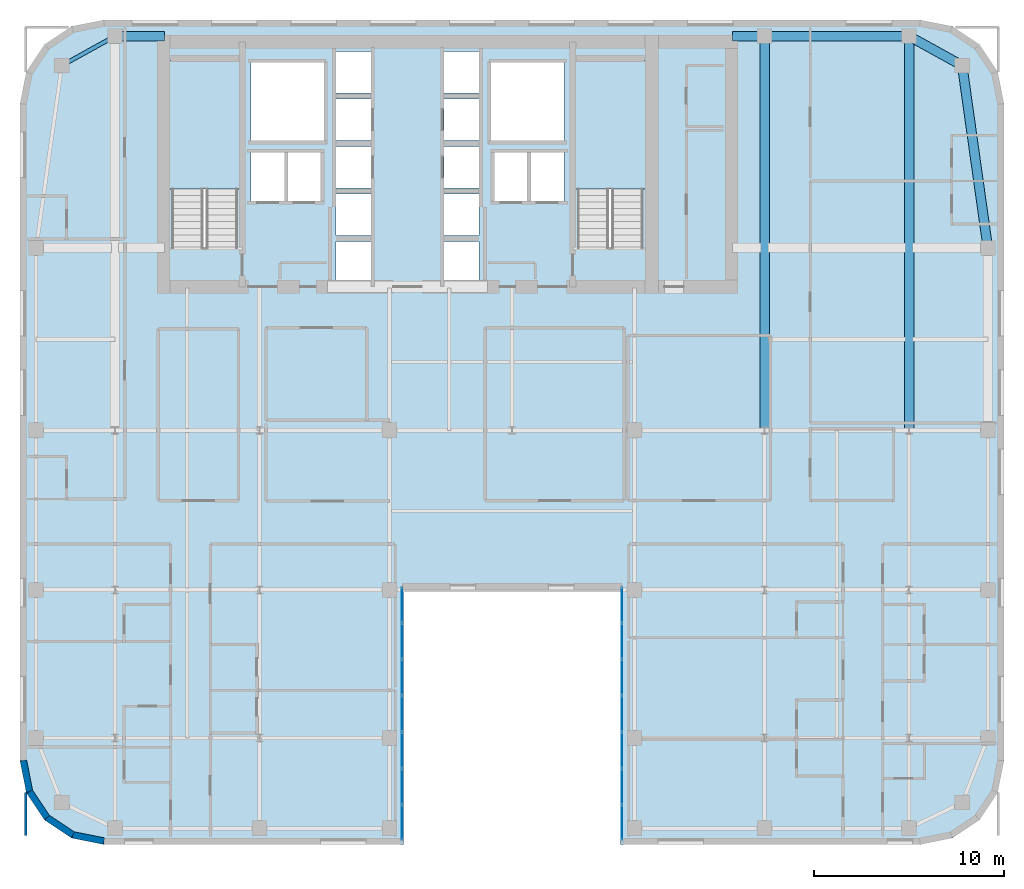
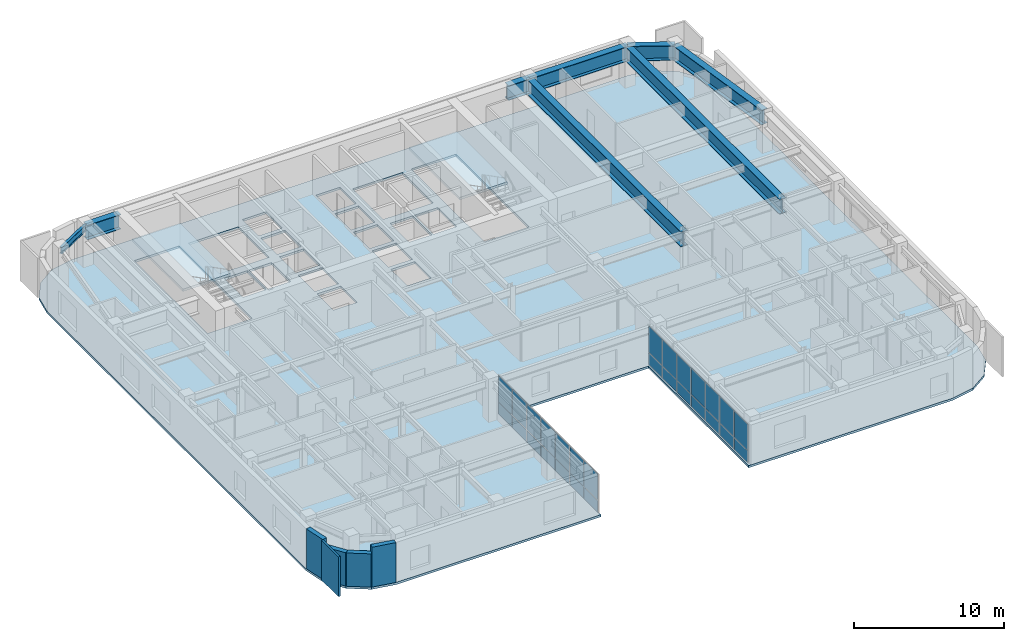
# One storey, part 6 of 14: 28 plates, 8 beams, 5 walls, 3 slabs, 4 elements without a shape of their own.
"""IFC4 building model written with IfcOpenShell, lengths in metres."""

from ifc_helpers import new_model, si_unit, direction, frame, frame_2d, origin, origin_2d, place, context, subcontext, project, spatial, polyline, rectangle, i_section, outline, extrude, source, transform, mapped, material, layer, layer_set, material_profile, profile_set, type_object, type_shapes, element, aggregate, save


model = new_model("IFC4")

# Units and contexts
model_context = context("Model", 3, precision=1e-05, world=origin(), true_north=direction((0.0, 1.0)))
body_context = subcontext(model_context, "Body", "Model", "MODEL_VIEW")
ifc_project = project(units=[si_unit("LENGTHUNIT", "METRE"), si_unit("AREAUNIT", "SQUARE_METRE"), si_unit("VOLUMEUNIT", "CUBIC_METRE"), si_unit("PLANEANGLEUNIT", "RADIAN"), si_unit("MASSUNIT", "GRAM", prefix="KILO")], contexts=[model_context])

# Site, building, storey
site_placement = place(None, origin())
site = spatial("IfcSite", under=ifc_project, at=site_placement, CompositionType="ELEMENT")
building_placement = place(site_placement, origin())
building = spatial("IfcBuilding", under=site, at=building_placement, Name="Tolvann Quenvar Hotel", CompositionType="ELEMENT")
storey_placement = place(building_placement, frame((0.0, 0.0, 179.0)))
storey = spatial("IfcBuildingStorey", under=building, at=storey_placement, Name="L47", CompositionType="ELEMENT", Elevation=179.0)

# Beams
ifc_material_1 = material(Name="Steel Grade 350", Category="steel")
ifc_material_profile_1 = material_profile(ifc_material_1, i_section(OverallWidth=0.5, OverallDepth=1.199951171875, WebThickness=0.01611328125, FlangeThickness=0.0400390625, at=origin_2d()), Name="1200WB455")
ifc_profile_set_1 = profile_set([ifc_material_profile_1], Name="Steel Grade 350")
beam_type_1 = type_object("IfcBeamType", Name="BM_TG_1200WB455", PredefinedType="USERDEFINED", material=ifc_profile_set_1)
shared_shape_1 = source(origin(), body_context, "Body", "SweptSolid", [
    extrude(i_section(OverallWidth=0.5, OverallDepth=1.199951171875, WebThickness=0.01611328125, FlangeThickness=0.0400390625, at=origin_2d()), origin(), (0.0, 0.0, 1.0), 7.599853515625),
])
beam_1_placement = place(storey_placement, frame((49.39990234375, 45.14990234375, 2.64990234375), z_axis=(-1.0, 0.0, 0.0), x_axis=(0.0, -1.0, 0.0)))
element("IfcBeam", 1, at=beam_1_placement, inside=storey, type_object=beam_type_1, Name="BM-L47-FLK-E4", ObjectType="TRANSFER GIRDER", PredefinedType="USERDEFINED", context=body_context, shape_type="MappedRepresentation", body=[
    mapped(shared_shape_1, transform((0.0, 0.0, 0.0), x_axis=(1.0, 0.0, 0.0), y_axis=(0.0, 1.0, 0.0), z_axis=(0.0, 0.0, 1.0), scale=1.0)),
])
shared_shape_2 = source(origin(), body_context, "Body", "SweptSolid", [
    extrude(i_section(OverallWidth=0.5, OverallDepth=1.199951171875, WebThickness=0.01611328125, FlangeThickness=0.0400390625, at=origin_2d()), origin(), (0.0, 0.0, 1.0), 20.75),
])
for number, where, z_axis, x_axis, name in (
    (2, (41.800048828125, 24.39990234375, 2.64990234375), (0.0, 1.0, 0.0), (-1.0, 0.0, 0.0), "BM-L47-FLK-EH"),
    (3, (49.39990234375, 24.39990234375, 2.64990234375), (0.0, 1.0, 0.0), (-1.0, 0.0, 0.0), "BM-L47-FLK-EI"),
):
    element("IfcBeam", number, at=place(storey_placement, frame(where, z_axis=z_axis, x_axis=x_axis)), inside=storey, type_object=beam_type_1, Name=name, ObjectType="TRANSFER GIRDER", PredefinedType="USERDEFINED", context=body_context, shape_type="MappedRepresentation", body=[
        mapped(shared_shape_2, transform((0.0, 0.0, 0.0), x_axis=(1.0, 0.0, 0.0), y_axis=(0.0, 1.0, 0.0), z_axis=(0.0, 0.0, 1.0), scale=1.0)),
    ])
shared_shape_3 = source(origin(), body_context, "Body", "SweptSolid", [
    extrude(i_section(OverallWidth=0.5, OverallDepth=1.199951171875, WebThickness=0.01611328125, FlangeThickness=0.0400390625, at=origin_2d()), origin(), (0.0, 0.0, 1.0), 2.599853515625),
])
beam_2_placement = place(storey_placement, frame((7.60009765625, 45.14990234375, 2.64990234375), z_axis=(1.0, 0.0, 0.0), x_axis=(0.0, 1.0, 0.0)))
element("IfcBeam", 4, at=beam_2_placement, inside=storey, type_object=beam_type_1, Name="BM-L47-CTW-CN", ObjectType="TRANSFER GIRDER", PredefinedType="USERDEFINED", context=body_context, shape_type="MappedRepresentation", body=[
    mapped(shared_shape_3, transform((0.0, 0.0, 0.0), x_axis=(1.0, 0.0, 0.0), y_axis=(0.0, 1.0, 0.0), z_axis=(0.0, 0.0, 1.0), scale=1.0)),
])
shared_shape_4 = source(origin(), body_context, "Body", "SweptSolid", [
    extrude(i_section(OverallWidth=0.5, OverallDepth=1.199951171875, WebThickness=0.01611328125, FlangeThickness=0.0400390625, at=origin_2d()), origin(), (0.0, 0.0, 1.0), 1.699951171875),
])
beam_3_placement = place(storey_placement, frame((40.10009765625, 45.14990234375, 2.64990234375), z_axis=(1.0, 0.0, 0.0), x_axis=(0.0, 1.0, 0.0)))
element("IfcBeam", 5, at=beam_3_placement, inside=storey, type_object=beam_type_1, Name="BM-L47-CTE-HN", ObjectType="TRANSFER GIRDER", PredefinedType="USERDEFINED", context=body_context, shape_type="MappedRepresentation", body=[
    mapped(shared_shape_4, transform((0.0, 0.0, 0.0), x_axis=(1.0, 0.0, 0.0), y_axis=(0.0, 1.0, 0.0), z_axis=(0.0, 0.0, 1.0), scale=1.0)),
])
ifc_material_profile_2 = material_profile(ifc_material_1, i_section(OverallWidth=0.208984375, OverallDepth=0.528076171875, WebThickness=0.009521484375, FlangeThickness=0.01318359375, FilletRadius=0.013916015625, at=origin_2d()), Name="530UB82")
ifc_profile_set_2 = profile_set([ifc_material_profile_2], Name="Steel Grade 350")
beam_type_2 = type_object("IfcBeamType", Name="BM_SPAND_530UB82", PredefinedType="SPANDREL", material=ifc_profile_set_2)
shared_shape_5 = source(origin(), body_context, "Body", "SweptSolid", [
    extrude(i_section(OverallWidth=0.208984375, OverallDepth=0.528076171875, WebThickness=0.009521484375, FlangeThickness=0.01318359375, FilletRadius=0.013916015625, at=origin_2d()), origin(), (0.0, 0.0, 1.0), 3.200439453125),
])
type_shapes(beam_type_2, [shared_shape_5])
beam_4_placement = place(storey_placement, frame((4.800048828125, 43.60009765625, 2.986083984375), z_axis=(0.87492264453, 0.48426270359, 0.0), x_axis=(-0.48426270359, 0.87492264453, 0.0)))
element("IfcBeam", 6, at=beam_4_placement, inside=storey, type_object=beam_type_2, Name="BM-L47-FLK-W3", PredefinedType="SPANDREL", context=body_context, shape_type="MappedRepresentation", body=[
    mapped(shared_shape_5, transform((0.0, 0.0, 0.0), x_axis=(1.0, 0.0, 0.0), y_axis=(0.0, 1.0, 0.0), z_axis=(0.0, 0.0, 1.0), scale=1.0)),
])
shared_shape_6 = source(origin(), body_context, "Body", "SweptSolid", [
    extrude(i_section(OverallWidth=0.5, OverallDepth=1.199951171875, WebThickness=0.01611328125, FlangeThickness=0.0400390625, at=origin_2d()), origin(), (0.0, 0.0, 1.0), 9.694580078125),
])
beam_5_placement = place(storey_placement, frame((53.550048828125, 34.0, 2.64990234375), z_axis=(-0.139263320262, 0.990255385055, 0.0), x_axis=(-0.990255385055, -0.139263320262, 0.0)))
element("IfcBeam", 7, at=beam_5_placement, inside=storey, type_object=beam_type_1, Name="BM-L47-FLK-E2", ObjectType="TRANSFER GIRDER", PredefinedType="USERDEFINED", context=body_context, shape_type="MappedRepresentation", body=[
    mapped(shared_shape_6, transform((0.0, 0.0, 0.0), x_axis=(1.0, 0.0, 0.0), y_axis=(0.0, 1.0, 0.0), z_axis=(0.0, 0.0, 1.0), scale=1.0)),
])
shared_shape_7 = source(origin(), body_context, "Body", "SweptSolid", [
    extrude(i_section(OverallWidth=0.5, OverallDepth=1.199951171875, WebThickness=0.01611328125, FlangeThickness=0.0400390625, at=origin_2d()), origin(), (0.0, 0.0, 1.0), 3.200439453125),
])
type_shapes(beam_type_1, [shared_shape_1, shared_shape_2, shared_shape_3, shared_shape_4, shared_shape_6, shared_shape_7])
beam_6_placement = place(storey_placement, frame((52.199951171875, 43.60009765625, 2.64990234375), z_axis=(-0.87492264453, 0.48426270359, 0.0), x_axis=(-0.48426270359, -0.87492264453, 0.0)))
element("IfcBeam", 8, at=beam_6_placement, inside=storey, type_object=beam_type_1, Name="BM-L47-FLK-E3", ObjectType="TRANSFER GIRDER", PredefinedType="USERDEFINED", context=body_context, shape_type="MappedRepresentation", body=[
    mapped(shared_shape_7, transform((0.0, 0.0, 0.0), x_axis=(1.0, 0.0, 0.0), y_axis=(0.0, 1.0, 0.0), z_axis=(0.0, 0.0, 1.0), scale=1.0)),
])

# Stair, slab
ifc_material_2 = material(Name="Concrete N40 (40 MPa)", Category="concrete")
stair_type = type_object("IfcStairType", Name="STAIR", PredefinedType="HALF_TURN_STAIR", material=ifc_material_2)
stair_1_placement = place(storey_placement, origin())
stair_1 = element("IfcStair", 9, at=stair_1_placement, inside=storey, type_object=stair_type, Name="L47 ST-C1", PredefinedType="HALF_TURN_STAIR")
ifc_layer_1 = layer(ifc_material_2, 0.199951171875)
ifc_layer_set_1 = layer_set([ifc_layer_1], Name="Concrete N40 (40 MPa)")
slab_type_1 = type_object("IfcSlabType", Name="SLAB_LANDING", PredefinedType="LANDING", material=ifc_layer_set_1)
slab_1_placement = place(storey_placement, frame((0.0, 0.0, 1.574951171875)))
slab_1 = element("IfcSlab", 10, at=slab_1_placement, type_object=slab_type_1, Name="ST-C1 landing 1", PredefinedType="LANDING", context=body_context, shape_type="SweptSolid", body=[
    extrude(outline(polyline([(14.179931640625, 37.10498046875), (14.179931640625, 43.8798828125), (10.469970703125, 43.8798828125), (10.469970703125, 37.10498046875), (14.179931640625, 37.10498046875)])), origin(), (0.0, 0.0, 1.0), 0.199951171875),
])
aggregate(stair_1, [slab_1])

stair_2_placement = place(storey_placement, origin())
stair_2 = element("IfcStair", 11, at=stair_2_placement, inside=storey, type_object=stair_type, Name="L47 ST-C2", PredefinedType="HALF_TURN_STAIR")
slab_2_placement = place(storey_placement, frame((0.0, 0.0, 1.574951171875)))
slab_2 = element("IfcSlab", 12, at=slab_2_placement, type_object=slab_type_1, Name="ST-C2 landing 1", PredefinedType="LANDING", context=body_context, shape_type="SweptSolid", body=[
    extrude(outline(polyline([(35.530029296875, 37.10498046875), (35.530029296875, 43.8798828125), (31.820068359375, 43.8798828125), (31.820068359375, 37.10498046875), (35.530029296875, 37.10498046875)])), origin(), (0.0, 0.0, 1.0), 0.199951171875),
])
aggregate(stair_2, [slab_2])

# Slab
ifc_layer_2 = layer(ifc_material_2, 0.179931640625)
ifc_layer_set_2 = layer_set([ifc_layer_2], Name="Concrete N40 (40 MPa)")
slab_type_2 = type_object("IfcSlabType", Name="SLAB_TWR_180", PredefinedType="FLOOR", material=ifc_layer_set_2)
slab_3_placement = place(storey_placement, frame((0.0, 0.0, -0.179931640625)))
element("IfcSlab", 13, at=slab_3_placement, inside=storey, type_object=slab_type_2, Name="Level L47 Structural Floor Slab", PredefinedType="FLOOR", context=body_context, shape_type="SweptSolid", body=[
    extrude(outline(polyline([(2.60009765625, 7.0), (2.934814453125, 5.316162109375), (3.888671875, 3.888671875), (5.316162109375, 2.934814453125), (7.0, 2.60009765625), (22.800048828125, 2.60009765625), (22.800048828125, 16.0), (34.199951171875, 16.0), (34.199951171875, 2.60009765625), (50.0, 2.60009765625), (51.683837890625, 2.934814453125), (53.111328125, 3.888671875), (54.065185546875, 5.316162109375), (54.39990234375, 7.0), (54.39990234375, 41.60009765625), (54.065185546875, 43.28369140625), (53.111328125, 44.711181640625), (51.683837890625, 45.6650390625), (50.0, 46.0), (7.0, 46.0), (5.316162109375, 45.6650390625), (3.888671875, 44.711181640625), (2.934814453125, 43.28369140625), (2.60009765625, 41.60009765625), (2.60009765625, 7.0)]), holes=[polyline([(31.949951171875, 34.02490234375), (31.949951171875, 43.800048828125), (35.39990234375, 43.800048828125), (35.39990234375, 34.02490234375), (31.949951171875, 34.02490234375)]), polyline([(29.449951171875, 39.02001953125), (31.25, 39.02001953125), (31.25, 36.47998046875), (29.449951171875, 36.47998046875), (29.449951171875, 39.02001953125)]), polyline([(31.25, 43.75), (31.25, 39.64990234375), (27.39990234375, 39.64990234375), (27.39990234375, 43.75), (31.25, 43.75)]), polyline([(27.574951171875, 39.02001953125), (29.324951171875, 39.02001953125), (29.324951171875, 36.47998046875), (27.574951171875, 36.47998046875), (27.574951171875, 39.02001953125)]), polyline([(26.77001953125, 44.340087890625), (26.77001953125, 42.159912109375), (24.929931640625, 42.159912109375), (24.929931640625, 44.340087890625), (26.77001953125, 44.340087890625)]), polyline([(24.929931640625, 41.840087890625), (26.77001953125, 41.840087890625), (26.77001953125, 39.659912109375), (24.929931640625, 39.659912109375), (24.929931640625, 41.840087890625)]), polyline([(24.929931640625, 39.340087890625), (26.77001953125, 39.340087890625), (26.77001953125, 37.159912109375), (24.929931640625, 37.159912109375), (24.929931640625, 39.340087890625)]), polyline([(24.929931640625, 36.840087890625), (26.77001953125, 36.840087890625), (26.77001953125, 34.659912109375), (24.929931640625, 34.659912109375), (24.929931640625, 36.840087890625)]), polyline([(24.929931640625, 34.340087890625), (26.77001953125, 34.340087890625), (26.77001953125, 32.159912109375), (24.929931640625, 32.159912109375), (24.929931640625, 34.340087890625)]), polyline([(21.070068359375, 44.340087890625), (21.070068359375, 42.159912109375), (19.22998046875, 42.159912109375), (19.22998046875, 44.340087890625), (21.070068359375, 44.340087890625)]), polyline([(19.22998046875, 41.840087890625), (21.070068359375, 41.840087890625), (21.070068359375, 39.659912109375), (19.22998046875, 39.659912109375), (19.22998046875, 41.840087890625)]), polyline([(19.22998046875, 39.340087890625), (21.070068359375, 39.340087890625), (21.070068359375, 37.159912109375), (19.22998046875, 37.159912109375), (19.22998046875, 39.340087890625)]), polyline([(19.22998046875, 36.840087890625), (21.070068359375, 36.840087890625), (21.070068359375, 34.659912109375), (19.22998046875, 34.659912109375), (19.22998046875, 36.840087890625)]), polyline([(19.22998046875, 34.340087890625), (21.070068359375, 34.340087890625), (21.070068359375, 32.159912109375), (19.22998046875, 32.159912109375), (19.22998046875, 34.340087890625)]), polyline([(18.60009765625, 43.75), (18.60009765625, 39.64990234375), (14.75, 39.64990234375), (14.75, 43.75), (18.60009765625, 43.75)]), polyline([(16.675048828125, 39.02001953125), (18.425048828125, 39.02001953125), (18.425048828125, 36.47998046875), (16.675048828125, 36.47998046875), (16.675048828125, 39.02001953125)]), polyline([(14.75, 39.02001953125), (16.550048828125, 39.02001953125), (16.550048828125, 36.47998046875), (14.75, 36.47998046875), (14.75, 39.02001953125)]), polyline([(10.60009765625, 34.02490234375), (10.60009765625, 43.800048828125), (14.050048828125, 43.800048828125), (14.050048828125, 34.02490234375), (10.60009765625, 34.02490234375)])]), origin(), (0.0, 0.0, 1.0), 0.179931640625),
])

# Curtain wall, plates
ifc_material_3 = material(Name="Thermally broken anodised architectural aluminium 6063-T6 and laminated low-E glass", Category="aluminium")
ifc_layer_3 = layer(ifc_material_3, 0.179931640625)
ifc_layer_set_3 = layer_set([ifc_layer_3], Name="Thermally broken anodised architectural aluminium 6063-T6 and laminated low-E glass")
curtain_wall_type = type_object("IfcCurtainWallType", Name="CW_SYS_SLOT_03", PredefinedType="USERDEFINED", material=ifc_layer_set_3)
curtain_wall_1_placement = place(storey_placement, origin())
curtain_wall_1 = element("IfcCurtainWall", 14, at=curtain_wall_1_placement, inside=storey, type_object=curtain_wall_type, Name="Curtain Wall CW-SLOT-03 (CWR-L47-E05)", ObjectType="UNITISED CURTAIN WALL", PredefinedType="USERDEFINED")
ifc_material_4 = material(Name="Low-iron laminated double glazing with solar-control coating", Category="glass")
ifc_layer_4 = layer(ifc_material_4, 0.028076171875)
ifc_layer_set_4 = layer_set([ifc_layer_4], Name="Low-iron laminated double glazing with solar-control coating")
plate_type = type_object("IfcPlateType", Name="CW_PAN_VISION_28", PredefinedType="CURTAIN_PANEL", material=ifc_layer_set_4)
shared_shape_8 = source(origin(), body_context, "Body", "SweptSolid", [
    extrude(rectangle(XDim=1.809326171875, YDim=0.028076171875, at=origin_2d()), origin(), (0.0, 0.0, 1.0), 0.949951171875),
])
plate_1_placement = place(storey_placement, frame((22.7099609375, 3.749755859375, 0.06005859375), z_axis=(0.0, 0.0, 1.0), x_axis=(0.0, 1.0, 0.0)))
plate_1 = element("IfcPlate", 15, at=plate_1_placement, type_object=plate_type, Name="CW-SLOT-03 panel 1.1", PredefinedType="CURTAIN_PANEL", context=body_context, shape_type="MappedRepresentation", body=[
    mapped(shared_shape_8, transform((0.0, 0.0, 0.0), x_axis=(1.0, 0.0, 0.0), y_axis=(0.0, 1.0, 0.0), z_axis=(0.0, 0.0, 1.0), scale=1.0)),
])
plate_2_placement = place(storey_placement, frame((22.7099609375, 15.200439453125, 0.06005859375), z_axis=(0.0, 0.0, 1.0), x_axis=(0.0, 1.0, 0.0)))
plate_2 = element("IfcPlate", 16, at=plate_2_placement, type_object=plate_type, Name="CW-SLOT-03 panel 7.1", PredefinedType="CURTAIN_PANEL", context=body_context, shape_type="MappedRepresentation", body=[
    mapped(shared_shape_8, transform((0.0, 0.0, 0.0), x_axis=(1.0, 0.0, 0.0), y_axis=(0.0, 1.0, 0.0), z_axis=(0.0, 0.0, 1.0), scale=1.0)),
])

curtain_wall_2_placement = place(storey_placement, origin())
curtain_wall_2 = element("IfcCurtainWall", 17, at=curtain_wall_2_placement, inside=storey, type_object=curtain_wall_type, Name="Curtain Wall CW-SLOT-03 (CWR-L47-E07)", ObjectType="UNITISED CURTAIN WALL", PredefinedType="USERDEFINED")
plate_3_placement = place(storey_placement, frame((34.2900390625, 15.200439453125, 0.06005859375), z_axis=(0.0, 0.0, 1.0), x_axis=(0.0, -1.0, 0.0)))
plate_3 = element("IfcPlate", 18, at=plate_3_placement, type_object=plate_type, Name="CW-SLOT-03 panel 1.1", PredefinedType="CURTAIN_PANEL", context=body_context, shape_type="MappedRepresentation", body=[
    mapped(shared_shape_8, transform((0.0, 0.0, 0.0), x_axis=(1.0, 0.0, 0.0), y_axis=(0.0, 1.0, 0.0), z_axis=(0.0, 0.0, 1.0), scale=1.0)),
])
plate_4_placement = place(storey_placement, frame((34.2900390625, 3.749755859375, 0.06005859375), z_axis=(0.0, 0.0, 1.0), x_axis=(0.0, -1.0, 0.0)))
plate_4 = element("IfcPlate", 19, at=plate_4_placement, type_object=plate_type, Name="CW-SLOT-03 panel 7.1", PredefinedType="CURTAIN_PANEL", context=body_context, shape_type="MappedRepresentation", body=[
    mapped(shared_shape_8, transform((0.0, 0.0, 0.0), x_axis=(1.0, 0.0, 0.0), y_axis=(0.0, 1.0, 0.0), z_axis=(0.0, 0.0, 1.0), scale=1.0)),
])

# Plate
shared_shape_9 = source(origin(), body_context, "Body", "SweptSolid", [
    extrude(rectangle(XDim=1.809326171875, YDim=0.028076171875, at=origin_2d()), origin(), (0.0, 0.0, 1.0), 2.1201171875),
])
plate_5_placement = place(storey_placement, frame((22.7099609375, 3.749755859375, 1.06982421875), z_axis=(0.0, 0.0, 1.0), x_axis=(0.0, 1.0, 0.0)))
plate_5 = element("IfcPlate", 20, at=plate_5_placement, type_object=plate_type, Name="CW-SLOT-03 panel 1.2", PredefinedType="CURTAIN_PANEL", context=body_context, shape_type="MappedRepresentation", body=[
    mapped(shared_shape_9, transform((0.0, 0.0, 0.0), x_axis=(1.0, 0.0, 0.0), y_axis=(0.0, 1.0, 0.0), z_axis=(0.0, 0.0, 1.0), scale=1.0)),
])

plate_6_placement = place(storey_placement, frame((22.7099609375, 15.200439453125, 1.06982421875), z_axis=(0.0, 0.0, 1.0), x_axis=(0.0, 1.0, 0.0)))
plate_6 = element("IfcPlate", 21, at=plate_6_placement, type_object=plate_type, Name="CW-SLOT-03 panel 7.2", PredefinedType="CURTAIN_PANEL", context=body_context, shape_type="MappedRepresentation", body=[
    mapped(shared_shape_9, transform((0.0, 0.0, 0.0), x_axis=(1.0, 0.0, 0.0), y_axis=(0.0, 1.0, 0.0), z_axis=(0.0, 0.0, 1.0), scale=1.0)),
])

plate_7_placement = place(storey_placement, frame((34.2900390625, 15.200439453125, 1.06982421875), z_axis=(0.0, 0.0, 1.0), x_axis=(0.0, -1.0, 0.0)))
plate_7 = element("IfcPlate", 22, at=plate_7_placement, type_object=plate_type, Name="CW-SLOT-03 panel 1.2", PredefinedType="CURTAIN_PANEL", context=body_context, shape_type="MappedRepresentation", body=[
    mapped(shared_shape_9, transform((0.0, 0.0, 0.0), x_axis=(1.0, 0.0, 0.0), y_axis=(0.0, 1.0, 0.0), z_axis=(0.0, 0.0, 1.0), scale=1.0)),
])

plate_8_placement = place(storey_placement, frame((34.2900390625, 3.749755859375, 1.06982421875), z_axis=(0.0, 0.0, 1.0), x_axis=(0.0, -1.0, 0.0)))
plate_8 = element("IfcPlate", 23, at=plate_8_placement, type_object=plate_type, Name="CW-SLOT-03 panel 7.2", PredefinedType="CURTAIN_PANEL", context=body_context, shape_type="MappedRepresentation", body=[
    mapped(shared_shape_9, transform((0.0, 0.0, 0.0), x_axis=(1.0, 0.0, 0.0), y_axis=(0.0, 1.0, 0.0), z_axis=(0.0, 0.0, 1.0), scale=1.0)),
])

shared_shape_10 = source(origin(), body_context, "Body", "SweptSolid", [
    extrude(rectangle(XDim=1.84423828125, YDim=0.028076171875, at=origin_2d()), origin(), (0.0, 0.0, 1.0), 0.949951171875),
])
plate_9_placement = place(storey_placement, frame((22.7099609375, 5.646484375, 0.06005859375), z_axis=(0.0, 0.0, 1.0), x_axis=(0.0, 1.0, 0.0)))
plate_9 = element("IfcPlate", 24, at=plate_9_placement, type_object=plate_type, Name="CW-SLOT-03 panel 2.1", PredefinedType="CURTAIN_PANEL", context=body_context, shape_type="MappedRepresentation", body=[
    mapped(shared_shape_10, transform((0.0, 0.0, 0.0), x_axis=(1.0, 0.0, 0.0), y_axis=(0.0, 1.0, 0.0), z_axis=(0.0, 0.0, 1.0), scale=1.0)),
])

plate_10_placement = place(storey_placement, frame((22.7099609375, 7.560791015625, 0.06005859375), z_axis=(0.0, 0.0, 1.0), x_axis=(0.0, 1.0, 0.0)))
plate_10 = element("IfcPlate", 25, at=plate_10_placement, type_object=plate_type, Name="CW-SLOT-03 panel 3.1", PredefinedType="CURTAIN_PANEL", context=body_context, shape_type="MappedRepresentation", body=[
    mapped(shared_shape_10, transform((0.0, 0.0, 0.0), x_axis=(1.0, 0.0, 0.0), y_axis=(0.0, 1.0, 0.0), z_axis=(0.0, 0.0, 1.0), scale=1.0)),
])

plate_11_placement = place(storey_placement, frame((22.7099609375, 9.47509765625, 0.06005859375), z_axis=(0.0, 0.0, 1.0), x_axis=(0.0, 1.0, 0.0)))
plate_11 = element("IfcPlate", 26, at=plate_11_placement, type_object=plate_type, Name="CW-SLOT-03 panel 4.1", PredefinedType="CURTAIN_PANEL", context=body_context, shape_type="MappedRepresentation", body=[
    mapped(shared_shape_10, transform((0.0, 0.0, 0.0), x_axis=(1.0, 0.0, 0.0), y_axis=(0.0, 1.0, 0.0), z_axis=(0.0, 0.0, 1.0), scale=1.0)),
])

plate_12_placement = place(storey_placement, frame((22.7099609375, 11.389404296875, 0.06005859375), z_axis=(0.0, 0.0, 1.0), x_axis=(0.0, 1.0, 0.0)))
plate_12 = element("IfcPlate", 27, at=plate_12_placement, type_object=plate_type, Name="CW-SLOT-03 panel 5.1", PredefinedType="CURTAIN_PANEL", context=body_context, shape_type="MappedRepresentation", body=[
    mapped(shared_shape_10, transform((0.0, 0.0, 0.0), x_axis=(1.0, 0.0, 0.0), y_axis=(0.0, 1.0, 0.0), z_axis=(0.0, 0.0, 1.0), scale=1.0)),
])

plate_13_placement = place(storey_placement, frame((22.7099609375, 13.303466796875, 0.06005859375), z_axis=(0.0, 0.0, 1.0), x_axis=(0.0, 1.0, 0.0)))
plate_13 = element("IfcPlate", 28, at=plate_13_placement, type_object=plate_type, Name="CW-SLOT-03 panel 6.1", PredefinedType="CURTAIN_PANEL", context=body_context, shape_type="MappedRepresentation", body=[
    mapped(shared_shape_10, transform((0.0, 0.0, 0.0), x_axis=(1.0, 0.0, 0.0), y_axis=(0.0, 1.0, 0.0), z_axis=(0.0, 0.0, 1.0), scale=1.0)),
])

plate_14_placement = place(storey_placement, frame((34.2900390625, 13.303466796875, 0.06005859375), z_axis=(0.0, 0.0, 1.0), x_axis=(0.0, -1.0, 0.0)))
plate_14 = element("IfcPlate", 29, at=plate_14_placement, type_object=plate_type, Name="CW-SLOT-03 panel 2.1", PredefinedType="CURTAIN_PANEL", context=body_context, shape_type="MappedRepresentation", body=[
    mapped(shared_shape_10, transform((0.0, 0.0, 0.0), x_axis=(1.0, 0.0, 0.0), y_axis=(0.0, 1.0, 0.0), z_axis=(0.0, 0.0, 1.0), scale=1.0)),
])

plate_15_placement = place(storey_placement, frame((34.2900390625, 11.389404296875, 0.06005859375), z_axis=(0.0, 0.0, 1.0), x_axis=(0.0, -1.0, 0.0)))
plate_15 = element("IfcPlate", 30, at=plate_15_placement, type_object=plate_type, Name="CW-SLOT-03 panel 3.1", PredefinedType="CURTAIN_PANEL", context=body_context, shape_type="MappedRepresentation", body=[
    mapped(shared_shape_10, transform((0.0, 0.0, 0.0), x_axis=(1.0, 0.0, 0.0), y_axis=(0.0, 1.0, 0.0), z_axis=(0.0, 0.0, 1.0), scale=1.0)),
])

plate_16_placement = place(storey_placement, frame((34.2900390625, 9.47509765625, 0.06005859375), z_axis=(0.0, 0.0, 1.0), x_axis=(0.0, -1.0, 0.0)))
plate_16 = element("IfcPlate", 31, at=plate_16_placement, type_object=plate_type, Name="CW-SLOT-03 panel 4.1", PredefinedType="CURTAIN_PANEL", context=body_context, shape_type="MappedRepresentation", body=[
    mapped(shared_shape_10, transform((0.0, 0.0, 0.0), x_axis=(1.0, 0.0, 0.0), y_axis=(0.0, 1.0, 0.0), z_axis=(0.0, 0.0, 1.0), scale=1.0)),
])

plate_17_placement = place(storey_placement, frame((34.2900390625, 7.560791015625, 0.06005859375), z_axis=(0.0, 0.0, 1.0), x_axis=(0.0, -1.0, 0.0)))
plate_17 = element("IfcPlate", 32, at=plate_17_placement, type_object=plate_type, Name="CW-SLOT-03 panel 5.1", PredefinedType="CURTAIN_PANEL", context=body_context, shape_type="MappedRepresentation", body=[
    mapped(shared_shape_10, transform((0.0, 0.0, 0.0), x_axis=(1.0, 0.0, 0.0), y_axis=(0.0, 1.0, 0.0), z_axis=(0.0, 0.0, 1.0), scale=1.0)),
])

plate_18_placement = place(storey_placement, frame((34.2900390625, 5.646484375, 0.06005859375), z_axis=(0.0, 0.0, 1.0), x_axis=(0.0, -1.0, 0.0)))
plate_18 = element("IfcPlate", 33, at=plate_18_placement, type_object=plate_type, Name="CW-SLOT-03 panel 6.1", PredefinedType="CURTAIN_PANEL", context=body_context, shape_type="MappedRepresentation", body=[
    mapped(shared_shape_10, transform((0.0, 0.0, 0.0), x_axis=(1.0, 0.0, 0.0), y_axis=(0.0, 1.0, 0.0), z_axis=(0.0, 0.0, 1.0), scale=1.0)),
])

shared_shape_11 = source(origin(), body_context, "Body", "SweptSolid", [
    extrude(rectangle(XDim=1.84423828125, YDim=0.028076171875, at=origin_2d()), origin(), (0.0, 0.0, 1.0), 2.1201171875),
])
type_shapes(plate_type, [shared_shape_8, shared_shape_9, shared_shape_10, shared_shape_11])
plate_19_placement = place(storey_placement, frame((22.7099609375, 5.646484375, 1.06982421875), z_axis=(0.0, 0.0, 1.0), x_axis=(0.0, 1.0, 0.0)))
plate_19 = element("IfcPlate", 34, at=plate_19_placement, type_object=plate_type, Name="CW-SLOT-03 panel 2.2", PredefinedType="CURTAIN_PANEL", context=body_context, shape_type="MappedRepresentation", body=[
    mapped(shared_shape_11, transform((0.0, 0.0, 0.0), x_axis=(1.0, 0.0, 0.0), y_axis=(0.0, 1.0, 0.0), z_axis=(0.0, 0.0, 1.0), scale=1.0)),
])

plate_20_placement = place(storey_placement, frame((22.7099609375, 7.560791015625, 1.06982421875), z_axis=(0.0, 0.0, 1.0), x_axis=(0.0, 1.0, 0.0)))
plate_20 = element("IfcPlate", 35, at=plate_20_placement, type_object=plate_type, Name="CW-SLOT-03 panel 3.2", PredefinedType="CURTAIN_PANEL", context=body_context, shape_type="MappedRepresentation", body=[
    mapped(shared_shape_11, transform((0.0, 0.0, 0.0), x_axis=(1.0, 0.0, 0.0), y_axis=(0.0, 1.0, 0.0), z_axis=(0.0, 0.0, 1.0), scale=1.0)),
])

plate_21_placement = place(storey_placement, frame((22.7099609375, 9.47509765625, 1.06982421875), z_axis=(0.0, 0.0, 1.0), x_axis=(0.0, 1.0, 0.0)))
plate_21 = element("IfcPlate", 36, at=plate_21_placement, type_object=plate_type, Name="CW-SLOT-03 panel 4.2", PredefinedType="CURTAIN_PANEL", context=body_context, shape_type="MappedRepresentation", body=[
    mapped(shared_shape_11, transform((0.0, 0.0, 0.0), x_axis=(1.0, 0.0, 0.0), y_axis=(0.0, 1.0, 0.0), z_axis=(0.0, 0.0, 1.0), scale=1.0)),
])

plate_22_placement = place(storey_placement, frame((22.7099609375, 11.389404296875, 1.06982421875), z_axis=(0.0, 0.0, 1.0), x_axis=(0.0, 1.0, 0.0)))
plate_22 = element("IfcPlate", 37, at=plate_22_placement, type_object=plate_type, Name="CW-SLOT-03 panel 5.2", PredefinedType="CURTAIN_PANEL", context=body_context, shape_type="MappedRepresentation", body=[
    mapped(shared_shape_11, transform((0.0, 0.0, 0.0), x_axis=(1.0, 0.0, 0.0), y_axis=(0.0, 1.0, 0.0), z_axis=(0.0, 0.0, 1.0), scale=1.0)),
])

plate_23_placement = place(storey_placement, frame((22.7099609375, 13.303466796875, 1.06982421875), z_axis=(0.0, 0.0, 1.0), x_axis=(0.0, 1.0, 0.0)))
plate_23 = element("IfcPlate", 38, at=plate_23_placement, type_object=plate_type, Name="CW-SLOT-03 panel 6.2", PredefinedType="CURTAIN_PANEL", context=body_context, shape_type="MappedRepresentation", body=[
    mapped(shared_shape_11, transform((0.0, 0.0, 0.0), x_axis=(1.0, 0.0, 0.0), y_axis=(0.0, 1.0, 0.0), z_axis=(0.0, 0.0, 1.0), scale=1.0)),
])

aggregate(curtain_wall_1, [plate_1, plate_5, plate_9, plate_19, plate_10, plate_20, plate_11, plate_21, plate_12, plate_22, plate_13, plate_23, plate_2, plate_6])

plate_24_placement = place(storey_placement, frame((34.2900390625, 13.303466796875, 1.06982421875), z_axis=(0.0, 0.0, 1.0), x_axis=(0.0, -1.0, 0.0)))
plate_24 = element("IfcPlate", 39, at=plate_24_placement, type_object=plate_type, Name="CW-SLOT-03 panel 2.2", PredefinedType="CURTAIN_PANEL", context=body_context, shape_type="MappedRepresentation", body=[
    mapped(shared_shape_11, transform((0.0, 0.0, 0.0), x_axis=(1.0, 0.0, 0.0), y_axis=(0.0, 1.0, 0.0), z_axis=(0.0, 0.0, 1.0), scale=1.0)),
])

plate_25_placement = place(storey_placement, frame((34.2900390625, 11.389404296875, 1.06982421875), z_axis=(0.0, 0.0, 1.0), x_axis=(0.0, -1.0, 0.0)))
plate_25 = element("IfcPlate", 40, at=plate_25_placement, type_object=plate_type, Name="CW-SLOT-03 panel 3.2", PredefinedType="CURTAIN_PANEL", context=body_context, shape_type="MappedRepresentation", body=[
    mapped(shared_shape_11, transform((0.0, 0.0, 0.0), x_axis=(1.0, 0.0, 0.0), y_axis=(0.0, 1.0, 0.0), z_axis=(0.0, 0.0, 1.0), scale=1.0)),
])

plate_26_placement = place(storey_placement, frame((34.2900390625, 9.47509765625, 1.06982421875), z_axis=(0.0, 0.0, 1.0), x_axis=(0.0, -1.0, 0.0)))
plate_26 = element("IfcPlate", 41, at=plate_26_placement, type_object=plate_type, Name="CW-SLOT-03 panel 4.2", PredefinedType="CURTAIN_PANEL", context=body_context, shape_type="MappedRepresentation", body=[
    mapped(shared_shape_11, transform((0.0, 0.0, 0.0), x_axis=(1.0, 0.0, 0.0), y_axis=(0.0, 1.0, 0.0), z_axis=(0.0, 0.0, 1.0), scale=1.0)),
])

plate_27_placement = place(storey_placement, frame((34.2900390625, 7.560791015625, 1.06982421875), z_axis=(0.0, 0.0, 1.0), x_axis=(0.0, -1.0, 0.0)))
plate_27 = element("IfcPlate", 42, at=plate_27_placement, type_object=plate_type, Name="CW-SLOT-03 panel 5.2", PredefinedType="CURTAIN_PANEL", context=body_context, shape_type="MappedRepresentation", body=[
    mapped(shared_shape_11, transform((0.0, 0.0, 0.0), x_axis=(1.0, 0.0, 0.0), y_axis=(0.0, 1.0, 0.0), z_axis=(0.0, 0.0, 1.0), scale=1.0)),
])

plate_28_placement = place(storey_placement, frame((34.2900390625, 5.646484375, 1.06982421875), z_axis=(0.0, 0.0, 1.0), x_axis=(0.0, -1.0, 0.0)))
plate_28 = element("IfcPlate", 43, at=plate_28_placement, type_object=plate_type, Name="CW-SLOT-03 panel 6.2", PredefinedType="CURTAIN_PANEL", context=body_context, shape_type="MappedRepresentation", body=[
    mapped(shared_shape_11, transform((0.0, 0.0, 0.0), x_axis=(1.0, 0.0, 0.0), y_axis=(0.0, 1.0, 0.0), z_axis=(0.0, 0.0, 1.0), scale=1.0)),
])

aggregate(curtain_wall_2, [plate_3, plate_7, plate_14, plate_24, plate_15, plate_25, plate_16, plate_26, plate_17, plate_27, plate_18, plate_28, plate_4, plate_8])

# Walls
ifc_material_5 = material(Name="Kiln-fired red and buff architectural clay brickwork and terracotta masonry", Category="masonry")
ifc_layer_5 = layer(ifc_material_5, 0.35009765625)
ifc_layer_set_5 = layer_set([ifc_layer_5], Name="Kiln-fired red and buff architectural clay brickwork and terracotta masonry")
wall_type_1 = type_object("IfcWallType", Name="WALL_EXT_BRICK_350", PredefinedType="SOLIDWALL", material=ifc_layer_set_5)
for number, where, z_axis, x_axis, name in (
    (44, (3.099609375, 5.384521484375, 0.0), (0.0, 0.0, 1.0), (0.555623290322, -0.831434158098, 0.0), "Exterior Chicago Brick Wall L47-E01"),
    (45, (4.014892578125, 4.014892578125, 0.0), (0.0, 0.0, 1.0), (0.831434158098, -0.555623290322, 0.0), "Exterior Chicago Brick Wall L47-E02"),
):
    element("IfcWall", number, at=place(storey_placement, frame(where, z_axis=z_axis, x_axis=x_axis)), inside=storey, type_object=wall_type_1, Name=name, PredefinedType="SOLIDWALL", context=body_context, shape_type="SweptSolid", body=[
        extrude(rectangle(XDim=1.647216796875, YDim=0.35009765625, at=frame_2d((0.82373046875, 0.0))), origin(), (0.0, 0.0, 1.0), 2.7119140625),
    ])
for number, where, z_axis, x_axis, name in (
    (46, (5.384521484375, 3.099609375, 0.0), (0.0, 0.0, 1.0), (0.980788844421, -0.195072403631, 0.0), "Exterior Chicago Brick Wall L47-E03"),
    (47, (2.77490234375, 7.01708984375, 0.0), (0.0, 0.0, 1.0), (0.195072403631, -0.980788844421, 0.0), "Exterior Chicago Brick Wall L47-E24"),
):
    element("IfcWall", number, at=place(storey_placement, frame(where, z_axis=z_axis, x_axis=x_axis)), inside=storey, type_object=wall_type_1, Name=name, PredefinedType="SOLIDWALL", context=body_context, shape_type="SweptSolid", body=[
        extrude(rectangle(XDim=1.66455078125, YDim=0.35009765625, at=frame_2d((0.832275390625, 0.0))), origin(), (0.0, 0.0, 1.0), 3.25),
    ])
ifc_material_6 = material(Name="Acoustic twin-stud fire-rated gypsum plasterboard partition")
ifc_layer_6 = layer(ifc_material_6, 0.14990234375)
ifc_layer_set_6 = layer_set([ifc_layer_6], Name="Acoustic twin-stud fire-rated gypsum plasterboard partition")
wall_type_2 = type_object("IfcWallType", Name="WALL_PART_SUITE_150", PredefinedType="PARTITIONING", material=ifc_layer_set_6)
wall_placement = place(storey_placement, frame((2.89990234375, 3.080078125, 0.0), z_axis=(0.0, 0.0, 1.0), x_axis=(0.0, 1.0, 0.0)))
element("IfcWall", 48, at=wall_placement, inside=storey, type_object=wall_type_2, Name="Interior Partition PT-SPC-L47-RM-WO01-E6", PredefinedType="PARTITIONING", context=body_context, shape_type="SweptSolid", body=[
    extrude(rectangle(XDim=2.264892578125, YDim=0.14990234375, at=frame_2d((1.13232421875, 0.0))), origin(), (0.0, 0.0, 1.0), 3.25),
])

save(model, "model.ifc")
